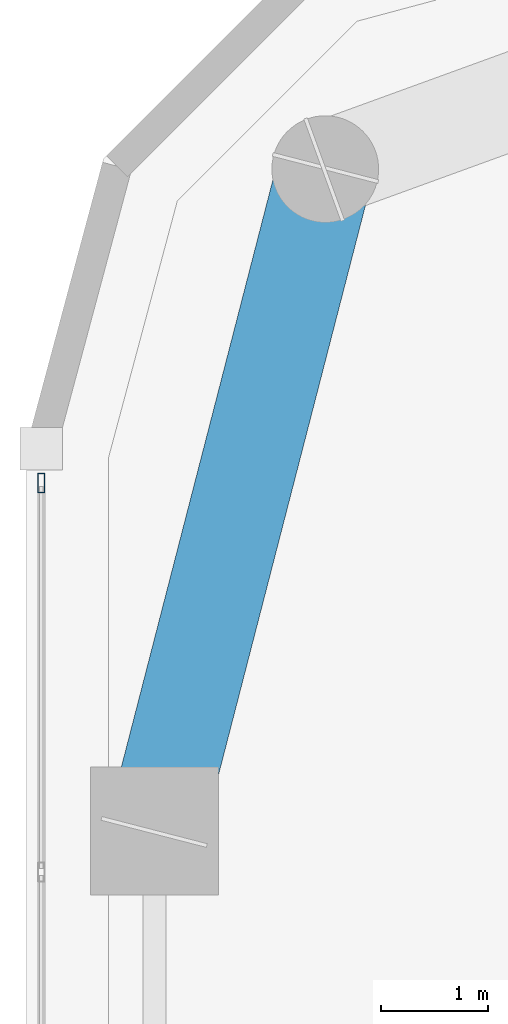
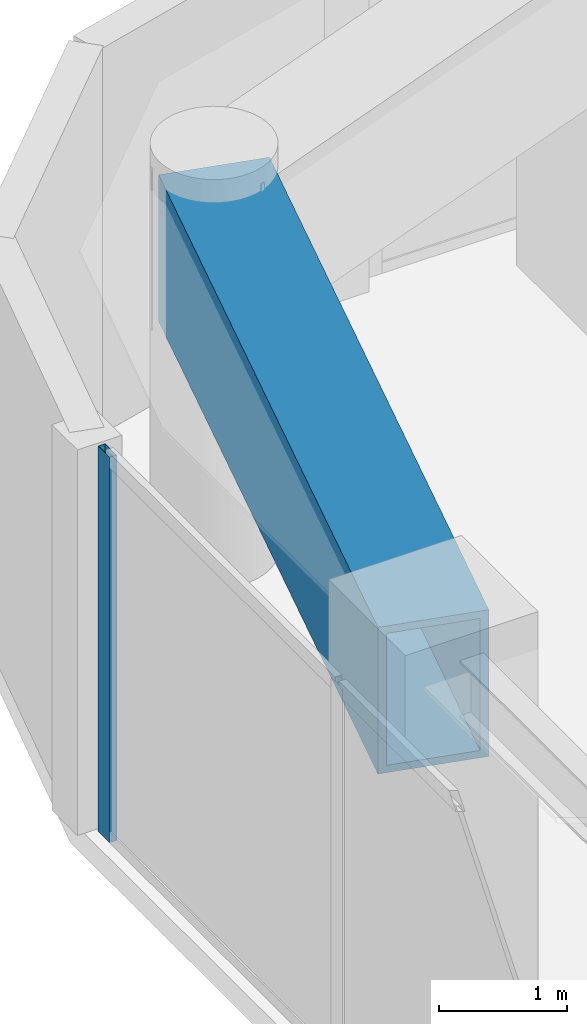
# One storey, part 15 of 30: 1 beam, 1 member, 1 element without a shape of its own.
"""IFC4 building model written with IfcOpenShell, lengths in metres."""

import ifcopenshell
import ifcopenshell.guid

model = None  # the IFC model being written
_history = None  # IfcOwnerHistory: only IFC2X3 demands one
_inside = {}  # id of a spatial element -> (the spatial element, [elements in it])
_under = {}  # id of a project, library or spatial element -> (it, [spatial elements below it])
_declared = {}  # id of a project -> (the project, [libraries it declares])
_typed = {}  # id of a type object -> (the type object, [elements of that type])
_made_of = {}  # id of a material, layer set ... -> (it, [elements and type objects made of it])


def new_model(schema):
    """Start an empty IFC model of exactly this schema.

    Asked for "IFC4X3", IfcOpenShell would pick the latest addendum, in which some entities
    have other attributes; the version numbers below select the first issue.
    IFC2X3 requires an IfcOwnerHistory on every rooted entity: one is made here for all.
    """
    global model, _history
    if schema == "IFC4X3":
        model = ifcopenshell.file(schema_version=(4, 3, 0, 0))
    else:
        model = ifcopenshell.file(schema=schema)
    _inside.clear()
    _under.clear()
    _declared.clear()
    _typed.clear()
    _made_of.clear()
    _history = None
    if model.schema == "IFC2X3":
        org = make("IfcOrganization", Name="unknown")
        user = make(
            "IfcPersonAndOrganization",
            ThePerson=make("IfcPerson", FamilyName="unknown"),
            TheOrganization=org,
        )
        app = make(
            "IfcApplication",
            ApplicationDeveloper=org,
            Version="unknown",
            ApplicationFullName="unknown",
            ApplicationIdentifier="unknown",
        )
        _history = make(
            "IfcOwnerHistory",
            OwningUser=user,
            OwningApplication=app,
            ChangeAction="ADDED",
            CreationDate=0,
        )
    return model


def make(cls, **values):
    """One entity of the class cls with the attributes given. An attribute that is None is left unset."""
    return model.create_entity(
        cls, **{name: value for name, value in values.items() if value is not None}
    )


def rooted(cls, **values):
    """An entity with a GlobalId (a new one), such as an element, a storey or a relation."""
    return make(cls, GlobalId=ifcopenshell.guid.new(), OwnerHistory=_history, **values)


def si_unit(unit_type, name, prefix=None):
    """IfcSIUnit, for example si_unit("LENGTHUNIT", "METRE", prefix="MILLI")."""
    return make("IfcSIUnit", UnitType=unit_type, Prefix=prefix, Name=name)


def assignment(units):
    """IfcUnitAssignment: the units of a project."""
    return None if units is None else make("IfcUnitAssignment", Units=units)


def point(xyz):
    """IfcCartesianPoint."""
    return None if xyz is None else make("IfcCartesianPoint", Coordinates=xyz)


def direction(xyz):
    """IfcDirection."""
    return None if xyz is None else make("IfcDirection", DirectionRatios=xyz)


def frame(location, z_axis=None, x_axis=None):
    """IfcAxis2Placement3D, a coordinate frame: its origin and axes. An axis left out is left unset."""
    return make(
        "IfcAxis2Placement3D",
        Location=point(location),
        Axis=direction(z_axis),
        RefDirection=direction(x_axis),
    )


def frame_2d(location, x_axis=None):
    """IfcAxis2Placement2D, a coordinate frame in the plane: its origin and x axis."""
    return make(
        "IfcAxis2Placement2D", Location=point(location), RefDirection=direction(x_axis)
    )


def origin():
    """The frame at (0, 0, 0) with its axes left unset."""
    return frame((0.0, 0.0, 0.0))


def origin_2d():
    """The frame at (0, 0) in the plane with its x axis left unset."""
    return frame_2d((0.0, 0.0))


def place(relative_to, where):
    """IfcLocalPlacement: puts the frame where relative to a parent placement (None: the world)."""
    return make(
        "IfcLocalPlacement", PlacementRelTo=relative_to, RelativePlacement=where
    )


def context(
    kind, dimensions, precision=None, world=None, true_north=None, identifier=None
):
    """IfcGeometricRepresentationContext, for example the 3D "Model" context."""
    return make(
        "IfcGeometricRepresentationContext",
        ContextIdentifier=identifier,
        ContextType=kind,
        CoordinateSpaceDimension=dimensions,
        Precision=precision,
        WorldCoordinateSystem=world,
        TrueNorth=true_north,
    )


def subcontext(parent, identifier, kind, view, scale=None):
    """IfcGeometricRepresentationSubContext, for example "Body" below "Model"."""
    return make(
        "IfcGeometricRepresentationSubContext",
        ContextIdentifier=identifier,
        ContextType=kind,
        ParentContext=parent,
        TargetScale=scale,
        TargetView=view,
    )


def project(units=None, contexts=None):
    """IfcProject with its units and contexts."""
    return rooted(
        "IfcProject",
        Name="project",
        RepresentationContexts=contexts,
        UnitsInContext=assignment(units),
    )


def spatial(cls, under=None, at=None, **own):
    """A site, building, storey or space (cls), placed at a placement, below another one or the project."""
    s = rooted(cls, ObjectPlacement=at, **own)
    if under is not None:
        _under.setdefault(under.id(), (under, []))[1].append(s)
    return s


def profile(cls, at=None, kind="AREA", **sizes):
    """A parametric profile (cls). Its sizes go by their IFC names, for example OverallWidth=200.0."""
    return make(cls, ProfileType=kind, Position=at, **sizes)


def hollow_rectangle(**sizes):
    """IfcRectangleHollowProfileDef."""
    return profile("IfcRectangleHollowProfileDef", **sizes)


def extrude(swept, where, along, depth):
    """IfcExtrudedAreaSolid: the profile swept, set in the frame where, extruded along a direction by depth."""
    return make(
        "IfcExtrudedAreaSolid",
        SweptArea=swept,
        Position=where,
        ExtrudedDirection=direction(along),
        Depth=depth,
    )


def shape(context_of_items, identifier, shape_type, items):
    """IfcShapeRepresentation: the items that make up one representation, for example the "Body"."""
    return make(
        "IfcShapeRepresentation",
        ContextOfItems=context_of_items,
        RepresentationIdentifier=identifier,
        RepresentationType=shape_type,
        Items=items,
    )


def material(Name=None, Category=None):
    """IfcMaterial."""
    return make("IfcMaterial", Name=Name, Category=Category)


def layer(
    of_material, thickness, ventilated=None, Name=None, Category=None, Priority=None
):
    """IfcMaterialLayer: one layer of a wall or slab, of a material (None: an air gap)."""
    return make(
        "IfcMaterialLayer",
        Material=of_material,
        LayerThickness=thickness,
        IsVentilated=ventilated,
        Name=Name,
        Category=Category,
        Priority=Priority,
    )


def layer_set(layers, Name=None):
    """IfcMaterialLayerSet."""
    return make("IfcMaterialLayerSet", MaterialLayers=layers, LayerSetName=Name)


def material_profile(
    of_material, cross_section, Name=None, Category=None, Priority=None
):
    """IfcMaterialProfile: a cross section and its material."""
    return make(
        "IfcMaterialProfile",
        Name=Name,
        Material=of_material,
        Profile=cross_section,
        Priority=Priority,
        Category=Category,
    )


def profile_set(profiles, Name=None, composite=None):
    """IfcMaterialProfileSet."""
    return make(
        "IfcMaterialProfileSet",
        Name=Name,
        MaterialProfiles=profiles,
        CompositeProfile=composite,
    )


def made_of(thing, what):
    """Note that an element or type object is made of a material, layer set ...; save() writes the relation."""
    if what is not None:
        _made_of.setdefault(what.id(), (what, []))[1].append(thing)
    return thing


def type_object(cls, material=None, **own):
    """A type object (cls), such as IfcWallType, which elements share."""
    return made_of(rooted(cls, **own), material)


def element(
    cls,
    number,
    at=None,
    inside=None,
    cuts=None,
    type_object=None,
    material=None,
    context=None,
    identifier="Body",
    shape_type=None,
    held_by="IfcProductDefinitionShape",
    body=None,
    shapes=None,
    **own,
):
    """One element of the class cls, such as IfcWall. Its Tag is "e" and its number.

    at: its placement. inside: the storey or other place that contains it. cuts: it is an
    opening in that element (IfcRelVoidsElement). A single representation is given by context,
    identifier, shape_type and body (its items); several are given by shapes. held_by: the class
    of the entity that holds the representations. save() writes the other relations.
    """
    e = rooted(cls, Tag="e%d" % number, ObjectPlacement=at, **own)
    if body is not None:
        shapes = [shape(context, identifier, shape_type, body)]
    if shapes is not None:
        e.Representation = make(held_by, Representations=shapes)
    if inside is not None:
        _inside.setdefault(inside.id(), (inside, []))[1].append(e)
    if cuts is not None:
        rooted(
            "IfcRelVoidsElement", RelatingBuildingElement=cuts, RelatedOpeningElement=e
        )
    if type_object is not None:
        _typed.setdefault(type_object.id(), (type_object, []))[1].append(e)
    return made_of(e, material)


def aggregate(whole, parts):
    """IfcRelAggregates: a whole, such as a stair, and the parts it consists of."""
    return rooted("IfcRelAggregates", RelatingObject=whole, RelatedObjects=parts)


def save(model, path):
    """Write the relations noted so far, then the file.

    IfcRelAggregates (storeys below a building ...), IfcRelContainedInSpatialStructure (elements
    in a storey), IfcRelDefinesByType, IfcRelAssociatesMaterial and IfcRelDeclares: one each for
    every whole, place, type object, material and project.
    """
    for whole, parts in _under.values():
        aggregate(whole, parts)
    for where, things in _inside.values():
        rooted(
            "IfcRelContainedInSpatialStructure",
            RelatedElements=things,
            RelatingStructure=where,
        )
    for kind, things in _typed.values():
        rooted("IfcRelDefinesByType", RelatedObjects=things, RelatingType=kind)
    for what, things in _made_of.values():
        rooted("IfcRelAssociatesMaterial", RelatedObjects=things, RelatingMaterial=what)
    for by, libraries in _declared.values():
        rooted("IfcRelDeclares", RelatingContext=by, RelatedDefinitions=libraries)
    model.write(path)


model = new_model("IFC4")

# Units and contexts
model_context = context("Model", 3, precision=1e-05, world=origin(), true_north=direction((0.0, 1.0)))
body_context = subcontext(model_context, "Body", "Model", "MODEL_VIEW")
ifc_project = project(units=[si_unit("LENGTHUNIT", "METRE"), si_unit("AREAUNIT", "SQUARE_METRE"), si_unit("VOLUMEUNIT", "CUBIC_METRE"), si_unit("PLANEANGLEUNIT", "RADIAN"), si_unit("MASSUNIT", "GRAM", prefix="KILO")], contexts=[model_context])

# Site, building, storey
site_placement = place(None, origin())
site = spatial("IfcSite", under=ifc_project, at=site_placement, CompositionType="ELEMENT")
building_placement = place(site_placement, origin())
building = spatial("IfcBuilding", under=site, at=building_placement, Name="Kiyonajd Concourse Tower", CompositionType="ELEMENT")
storey_placement = place(building_placement, frame((0.0, 0.0, 177.89990234375)))
storey = spatial("IfcBuildingStorey", under=building, at=storey_placement, Name="L45", CompositionType="ELEMENT", Elevation=177.89990234375)

# Beam
ifc_material_1 = material(Name="Steel ASTM A572 Grade 50", Category="steel")
ifc_material_profile_1 = material_profile(ifc_material_1, hollow_rectangle(XDim=0.89990234375, YDim=1.39990234375, WallThickness=0.070068359375, at=origin_2d()), Name="BOX-1400x900x70")
ifc_profile_set_1 = profile_set([ifc_material_profile_1], Name="Steel ASTM A572 Grade 50")
beam_type = type_object("IfcBeamType", Name="BM-XFER-1400", PredefinedType="BEAM", material=ifc_profile_set_1)
beam_placement = place(storey_placement, frame((20.800048828125, 59.60009765625, 2.97998046875), z_axis=(-0.249884937687, -0.968275538221, 0.0), x_axis=(0.968275538221, -0.249884937687, 0.0)))
element("IfcBeam", 1, at=beam_placement, inside=storey, type_object=beam_type, Name="L45 Perimeter Bundled Tube Spandrel", PredefinedType="BEAM", context=body_context, shape_type="SweptSolid", body=[
    extrude(hollow_rectangle(XDim=0.89990234375, YDim=1.39990234375, WallThickness=0.070068359375, at=origin_2d()), origin(), (0.0, 0.0, 1.0), 6.4033203125),
])

# Curtain wall, member
ifc_material_2 = material(Name="Thermally Broken Anodised Aluminium", Category="aluminium")
ifc_layer = layer(ifc_material_2, 0.179931640625)
ifc_layer_set = layer_set([ifc_layer], Name="Thermally Broken Anodised Aluminium")
curtain_wall_type = type_object("IfcCurtainWallType", Name="CW-SYS-03", PredefinedType="NOTDEFINED", material=ifc_layer_set)
curtain_wall_placement = place(storey_placement, origin())
curtain_wall = element("IfcCurtainWall", 2, at=curtain_wall_placement, inside=storey, type_object=curtain_wall_type, Name="L45 Unitised Curtain Wall CW3", PredefinedType="NOTDEFINED")
ifc_material_profile_2 = material_profile(ifc_material_2, hollow_rectangle(XDim=0.06494140625, YDim=0.179931640625, WallThickness=0.00390625, at=origin_2d()), Name="MULL-65x180")
ifc_profile_set_2 = profile_set([ifc_material_profile_2], Name="Thermally Broken Anodised Aluminium")
member_type = type_object("IfcMemberType", Name="MB-CW-MULL1", PredefinedType="MULLION", material=ifc_profile_set_2)
member_placement = place(storey_placement, frame((18.139892578125, 56.6591796875, 0.0), z_axis=(0.0, 0.0, 1.0), x_axis=(-1.0, 0.0, 0.0)))
member = element("IfcMember", 3, at=member_placement, type_object=member_type, Name="CW3 mullion 7", PredefinedType="MULLION", context=body_context, shape_type="SweptSolid", body=[
    extrude(hollow_rectangle(XDim=0.06494140625, YDim=0.179931640625, WallThickness=0.00390625, at=origin_2d()), origin(), (0.0, 0.0, 1.0), 3.68017578125),
])
aggregate(curtain_wall, [member])

save(model, "model.ifc")
